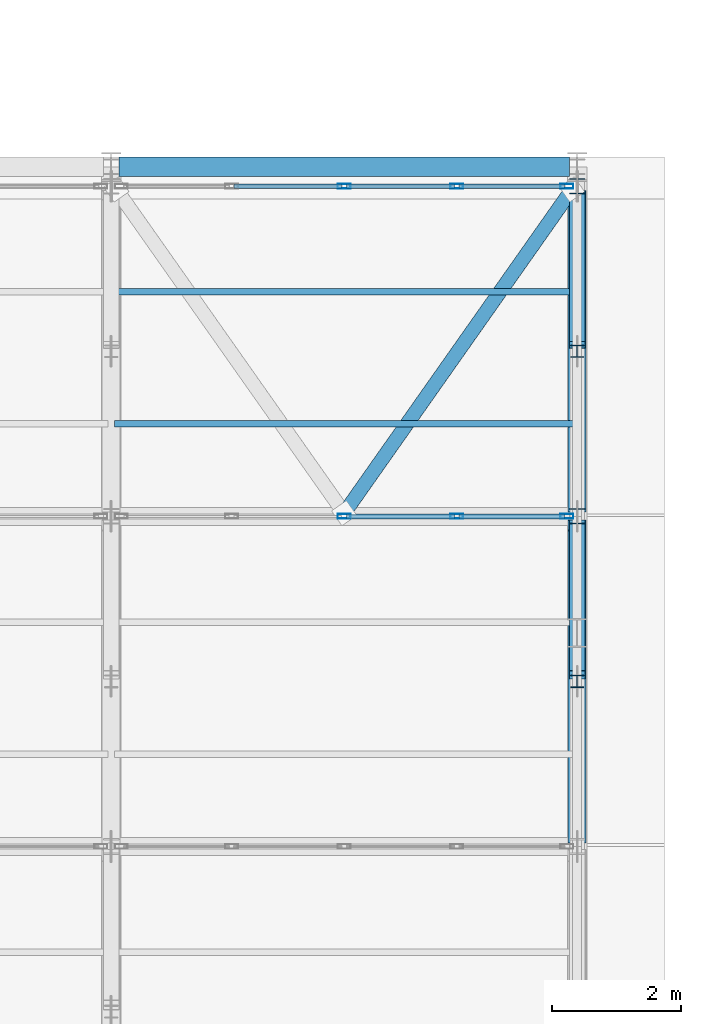
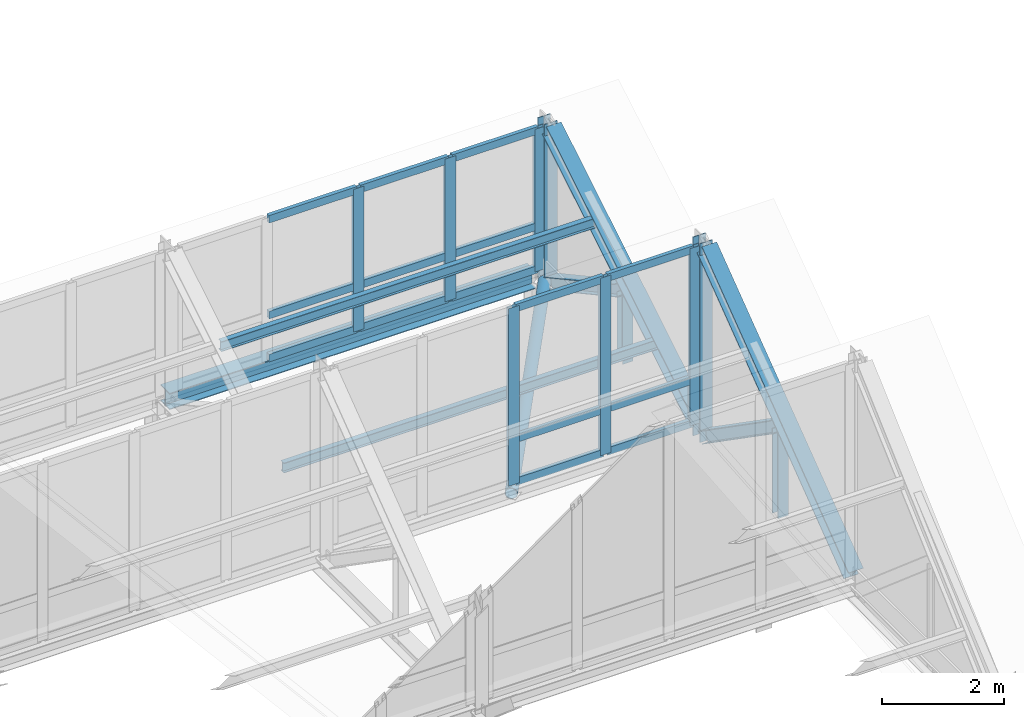
# One storey, part 71 of 157: 32 members, 1 beam, 2 elements without a shape of their own.
"""IFC4 building model written with IfcOpenShell, lengths in metres."""

from ifc_helpers import new_model, si_unit, direction, frame, origin, origin_2d, place, context, subcontext, project, spatial, hollow_rectangle, hollow_circle, i_section, extrude, material, material_profile, profile_set, type_object, element, aggregate, save


model = new_model("IFC4")

# Units and contexts
model_context = context("Model", 3, precision=1e-05, world=origin(), true_north=direction((0.0, 1.0)))
body_context = subcontext(model_context, "Body", "Model", "MODEL_VIEW")
ifc_project = project(units=[si_unit("LENGTHUNIT", "METRE"), si_unit("AREAUNIT", "SQUARE_METRE"), si_unit("VOLUMEUNIT", "CUBIC_METRE"), si_unit("PLANEANGLEUNIT", "RADIAN"), si_unit("MASSUNIT", "GRAM", prefix="KILO")], contexts=[model_context])

# Site, building, storey
site_placement = place(None, origin())
site = spatial("IfcSite", under=ifc_project, at=site_placement, CompositionType="ELEMENT")
building_placement = place(site_placement, origin())
building = spatial("IfcBuilding", under=site, at=building_placement, Name="Suanplinth Sawtooth Commons", CompositionType="ELEMENT")
storey_placement = place(building_placement, frame((0.0, 0.0, 9.0)))
storey = spatial("IfcBuildingStorey", under=building, at=storey_placement, Name="L02", CompositionType="ELEMENT", Elevation=9.0)

# Beam
ifc_material_1 = material(Name="Steel S355JR", Category="steel")
ifc_material_profile_1 = material_profile(ifc_material_1, i_section(OverallWidth=0.300048828125, OverallDepth=0.330078125, WebThickness=0.009521484375, FlangeThickness=0.0166015625, at=origin_2d()), Name="HEA 340")
ifc_profile_set_1 = profile_set([ifc_material_profile_1], Name="Steel S355JR")
beam_type = type_object("IfcBeamType", Name="B-15", PredefinedType="USERDEFINED", material=ifc_profile_set_1)
beam_placement = place(storey_placement, frame((108.1201171875, 86.39990234375, 2.655029296875), z_axis=(1.0, 0.0, 0.0), x_axis=(0.0, 1.0, 0.0)))
element("IfcBeam", 1, at=beam_placement, inside=storey, type_object=beam_type, Name="Sawtooth North Eave Girder B7", ObjectType="GIRDER", PredefinedType="USERDEFINED", context=body_context, shape_type="SweptSolid", body=[
    extrude(i_section(OverallWidth=0.300048828125, OverallDepth=0.330078125, WebThickness=0.009521484375, FlangeThickness=0.0166015625, at=origin_2d()), origin(), (0.0, 0.0, 1.0), 6.9599609375),
])

# Members
ifc_material_profile_2 = material_profile(ifc_material_1, i_section(OverallWidth=0.280029296875, OverallDepth=0.280029296875, WebThickness=0.010498046875, FlangeThickness=0.01806640625, at=origin_2d()), Name="HEB 280")
ifc_profile_set_2 = profile_set([ifc_material_profile_2], Name="Steel S355JR")
member_type_1 = type_object("IfcMemberType", Name="M-02", PredefinedType="CHORD", material=ifc_profile_set_2)
member_1_placement = place(storey_placement, frame((115.199951171875, 76.0400390625, 2.919921875), z_axis=(0.0, 0.799596436712, 0.600537707723), x_axis=(-1.0, 0.0, 0.0)))
element("IfcMember", 2, at=member_1_placement, inside=storey, type_object=member_type_1, Name="Sawtooth Truss T8 Top Chord 6", PredefinedType="CHORD", context=body_context, shape_type="SweptSolid", body=[
    extrude(i_section(OverallWidth=0.280029296875, OverallDepth=0.280029296875, WebThickness=0.010498046875, FlangeThickness=0.01806640625, at=origin_2d()), origin(), (0.0, 0.0, 1.0), 6.028076171875),
])
member_2_placement = place(storey_placement, frame((115.199951171875, 81.139892578125, 2.919921875), z_axis=(0.0, 0.855283356021, 0.51816057445), x_axis=(-1.0, 0.0, 0.0)))
element("IfcMember", 3, at=member_2_placement, inside=storey, type_object=member_type_1, Name="Sawtooth Truss T8 Top Chord 7", PredefinedType="CHORD", context=body_context, shape_type="SweptSolid", body=[
    extrude(i_section(OverallWidth=0.280029296875, OverallDepth=0.280029296875, WebThickness=0.010498046875, FlangeThickness=0.01806640625, at=origin_2d()), origin(), (0.0, 0.0, 1.0), 5.6357421875),
])
ifc_material_profile_3 = material_profile(ifc_material_1, i_section(OverallWidth=0.239990234375, OverallDepth=0.22998046875, WebThickness=0.007568359375, FlangeThickness=0.011962890625, at=origin_2d()), Name="HEA 240")
ifc_profile_set_3 = profile_set([ifc_material_profile_3], Name="Steel S355JR")
member_type_2 = type_object("IfcMemberType", Name="M-03", PredefinedType="BRACE", material=ifc_profile_set_3)
member_3_placement = place(storey_placement, frame((115.199951171875, 78.550048828125, 4.3701171875), z_axis=(0.0, 0.821010399862, -0.570913236245), x_axis=(-1.0, 0.0, 0.0)))
element("IfcMember", 4, at=member_3_placement, inside=storey, type_object=member_type_2, Name="Sawtooth Truss T8 Web Diagonal 6", PredefinedType="BRACE", context=body_context, shape_type="SweptSolid", body=[
    extrude(i_section(OverallWidth=0.239990234375, OverallDepth=0.22998046875, WebThickness=0.007568359375, FlangeThickness=0.011962890625, at=origin_2d()), origin(), (0.0, 0.0, 1.0), 2.837646484375),
])
member_4_placement = place(storey_placement, frame((115.199951171875, 83.64990234375, 4.02001953125), z_axis=(0.0, 0.878043199154, -0.478581383277), x_axis=(-1.0, 0.0, 0.0)))
element("IfcMember", 5, at=member_4_placement, inside=storey, type_object=member_type_2, Name="Sawtooth Truss T8 Web Diagonal 7", PredefinedType="BRACE", context=body_context, shape_type="SweptSolid", body=[
    extrude(i_section(OverallWidth=0.239990234375, OverallDepth=0.22998046875, WebThickness=0.007568359375, FlangeThickness=0.011962890625, at=origin_2d()), origin(), (0.0, 0.0, 1.0), 2.65380859375),
])
ifc_material_profile_4 = material_profile(ifc_material_1, i_section(OverallWidth=0.199951171875, OverallDepth=0.18994140625, WebThickness=0.006591796875, FlangeThickness=0.010009765625, at=origin_2d()), Name="HEA 200")
ifc_profile_set_4 = profile_set([ifc_material_profile_4], Name="Steel S355JR")
member_type_3 = type_object("IfcMemberType", Name="M-04", PredefinedType="BRACE", material=ifc_profile_set_4)
member_5_placement = place(storey_placement, frame((115.199951171875, 78.449951171875, 2.64990234375), z_axis=(0.0, 0.0, 1.0), x_axis=(1.0, 0.0, 0.0)))
element("IfcMember", 6, at=member_5_placement, inside=storey, type_object=member_type_3, Name="Sawtooth Truss T8 Mid Web Post 6", PredefinedType="BRACE", context=body_context, shape_type="SweptSolid", body=[
    extrude(i_section(OverallWidth=0.199951171875, OverallDepth=0.18994140625, WebThickness=0.006591796875, FlangeThickness=0.010009765625, at=origin_2d()), origin(), (0.0, 0.0, 1.0), 1.7001953125),
])
member_6_placement = place(storey_placement, frame((115.199951171875, 83.550048828125, 2.64990234375), z_axis=(0.0, 0.0, 1.0), x_axis=(1.0, 0.0, 0.0)))
element("IfcMember", 7, at=member_6_placement, inside=storey, type_object=member_type_3, Name="Sawtooth Truss T8 Mid Web Post 7", PredefinedType="BRACE", context=body_context, shape_type="SweptSolid", body=[
    extrude(i_section(OverallWidth=0.199951171875, OverallDepth=0.18994140625, WebThickness=0.006591796875, FlangeThickness=0.010009765625, at=origin_2d()), origin(), (0.0, 0.0, 1.0), 1.35009765625),
])
ifc_material_profile_5 = material_profile(ifc_material_1, i_section(OverallWidth=0.239990234375, OverallDepth=0.239990234375, WebThickness=0.010009765625, FlangeThickness=0.01708984375, at=origin_2d()), Name="HEB 240")
ifc_profile_set_5 = profile_set([ifc_material_profile_5], Name="Steel S355JR")
member_type_4 = type_object("IfcMemberType", Name="M-05", PredefinedType="POST", material=ifc_profile_set_5)
member_7_placement = place(storey_placement, frame((115.199951171875, 81.0, 2.64990234375), z_axis=(0.0, 0.0, 1.0), x_axis=(1.0, 0.0, 0.0)))
element("IfcMember", 8, at=member_7_placement, inside=storey, type_object=member_type_4, Name="Sawtooth Truss T8 Clerestory Post 6", PredefinedType="POST", context=body_context, shape_type="SweptSolid", body=[
    extrude(i_section(OverallWidth=0.239990234375, OverallDepth=0.239990234375, WebThickness=0.010009765625, FlangeThickness=0.01708984375, at=origin_2d()), origin(), (0.0, 0.0, 1.0), 3.989990234375),
])
member_8_placement = place(storey_placement, frame((115.199951171875, 86.10009765625, 2.64990234375), z_axis=(0.0, 0.0, 1.0), x_axis=(1.0, 0.0, 0.0)))
element("IfcMember", 9, at=member_8_placement, inside=storey, type_object=member_type_4, Name="Sawtooth Truss T8 Clerestory Post 7", PredefinedType="POST", context=body_context, shape_type="SweptSolid", body=[
    extrude(i_section(OverallWidth=0.239990234375, OverallDepth=0.239990234375, WebThickness=0.010009765625, FlangeThickness=0.01708984375, at=origin_2d()), origin(), (0.0, 0.0, 1.0), 3.2900390625),
])
ifc_material_2 = material(Name="Steel SS400", Category="steel")
ifc_material_profile_6 = material_profile(ifc_material_2, i_section(OverallWidth=0.10009765625, OverallDepth=0.199951171875, WebThickness=0.005615234375, FlangeThickness=0.008544921875, at=origin_2d()), Name="IPE 200")
ifc_profile_set_6 = profile_set([ifc_material_profile_6], Name="Steel SS400")
member_type_5 = type_object("IfcMemberType", Name="M-06", PredefinedType="PURLIN", material=ifc_profile_set_6)
for number, where, z_axis, x_axis, name in (
    (10, (108.050048828125, 82.427978515625, 3.691162109375), (1.0, 0.0, 0.0), (0.0, 1.0, 0.0), "Sawtooth Roof Purlin T7-B7-P1"),
    (11, (108.050048828125, 84.468017578125, 4.89111328125), (1.0, 0.0, 0.0), (0.0, 1.0, 0.0), "Sawtooth Roof Purlin T7-B7-P2"),
):
    element("IfcMember", number, at=place(storey_placement, frame(where, z_axis=z_axis, x_axis=x_axis)), inside=storey, type_object=member_type_5, Name=name, PredefinedType="PURLIN", context=body_context, shape_type="SweptSolid", body=[
        extrude(i_section(OverallWidth=0.10009765625, OverallDepth=0.199951171875, WebThickness=0.005615234375, FlangeThickness=0.008544921875, at=origin_2d()), origin(), (0.0, 0.0, 1.0), 7.099853515625),
    ])
ifc_material_profile_7 = material_profile(ifc_material_1, hollow_circle(Radius=0.109619140625, WallThickness=0.010009765625, at=origin_2d()), Name="CHS 219.1x10")
ifc_profile_set_7 = profile_set([ifc_material_profile_7], Name="Steel S355JR")
member_type_6 = type_object("IfcMemberType", Name="M-08", PredefinedType="BRACE", material=ifc_profile_set_7)
member_9_placement = place(storey_placement, frame((115.1201171875, 86.050048828125, 2.75), z_axis=(-0.575657568644, -0.817690872924, 0.0), x_axis=(0.817690872924, -0.575657568644, 0.0)))
element("IfcMember", 12, at=member_9_placement, inside=storey, type_object=member_type_6, Name="Sawtooth Roof Plan Brace B7-4", PredefinedType="BRACE", context=body_context, shape_type="SweptSolid", body=[
    extrude(hollow_circle(Radius=0.109619140625, WallThickness=0.010009765625, at=origin_2d()), origin(), (0.0, 0.0, 1.0), 6.11474609375),
])

# Curtain wall, members
ifc_material_3 = material(Name="Anodized aluminium and low-E glazing", Category="aluminium")
curtain_wall_type = type_object("IfcCurtainWallType", Name="CW-03", PredefinedType="USERDEFINED", material=ifc_material_3)
curtain_wall_1_placement = place(storey_placement, origin())
curtain_wall_1 = element("IfcCurtainWall", 13, at=curtain_wall_1_placement, inside=storey, type_object=curtain_wall_type, Name="Curtain Wall CW-SAW-T6-B7", ObjectType="CURTAIN WALL", PredefinedType="USERDEFINED")
ifc_material_4 = material(Name="Anodized aluminium 6063-T6", Category="aluminium")
ifc_material_profile_8 = material_profile(ifc_material_4, hollow_rectangle(XDim=0.074951171875, YDim=0.199951171875, WallThickness=0.0048828125, at=origin_2d()), Name="ALU-MUL 75x200")
ifc_profile_set_8 = profile_set([ifc_material_profile_8], Name="Anodized aluminium 6063-T6")
member_type_7 = type_object("IfcMemberType", Name="M-14", PredefinedType="MULLION", material=ifc_profile_set_8)
member_10_placement = place(storey_placement, frame((111.60009765625, 81.0, 2.97998046875), z_axis=(0.0, 0.0, 1.0), x_axis=(0.0, 1.0, 0.0)))
member_10 = element("IfcMember", 14, at=member_10_placement, type_object=member_type_7, Name="CW-03 mullion 3", PredefinedType="MULLION", context=body_context, shape_type="SweptSolid", body=[
    extrude(hollow_rectangle(XDim=0.074951171875, YDim=0.199951171875, WallThickness=0.0048828125, at=origin_2d()), origin(), (0.0, 0.0, 1.0), 3.56005859375),
])
member_11_placement = place(storey_placement, frame((113.340087890625, 81.0, 2.97998046875), z_axis=(0.0, 0.0, 1.0), x_axis=(0.0, 1.0, 0.0)))
member_11 = element("IfcMember", 15, at=member_11_placement, type_object=member_type_7, Name="CW-03 mullion 4", PredefinedType="MULLION", context=body_context, shape_type="SweptSolid", body=[
    extrude(hollow_rectangle(XDim=0.074951171875, YDim=0.199951171875, WallThickness=0.0048828125, at=origin_2d()), origin(), (0.0, 0.0, 1.0), 3.56005859375),
])
member_12_placement = place(storey_placement, frame((115.04248046875, 81.0, 2.97998046875), z_axis=(0.0, 0.0, 1.0), x_axis=(0.0, 1.0, 0.0)))
member_12 = element("IfcMember", 16, at=member_12_placement, type_object=member_type_7, Name="CW-03 mullion 5", PredefinedType="MULLION", context=body_context, shape_type="SweptSolid", body=[
    extrude(hollow_rectangle(XDim=0.074951171875, YDim=0.199951171875, WallThickness=0.0048828125, at=origin_2d()), origin(), (0.0, 0.0, 1.0), 3.56005859375),
])

curtain_wall_2_placement = place(storey_placement, origin())
curtain_wall_2 = element("IfcCurtainWall", 17, at=curtain_wall_2_placement, inside=storey, type_object=curtain_wall_type, Name="Curtain Wall CW-SAW-T7-B7", ObjectType="CURTAIN WALL", PredefinedType="USERDEFINED")
member_13_placement = place(storey_placement, frame((111.60009765625, 86.10009765625, 2.97998046875), z_axis=(0.0, 0.0, 1.0), x_axis=(0.0, 1.0, 0.0)))
member_13 = element("IfcMember", 18, at=member_13_placement, type_object=member_type_7, Name="CW-03 mullion 3", PredefinedType="MULLION", context=body_context, shape_type="SweptSolid", body=[
    extrude(hollow_rectangle(XDim=0.074951171875, YDim=0.199951171875, WallThickness=0.0048828125, at=origin_2d()), origin(), (0.0, 0.0, 1.0), 2.860107421875),
])
member_14_placement = place(storey_placement, frame((113.340087890625, 86.10009765625, 2.97998046875), z_axis=(0.0, 0.0, 1.0), x_axis=(0.0, 1.0, 0.0)))
member_14 = element("IfcMember", 19, at=member_14_placement, type_object=member_type_7, Name="CW-03 mullion 4", PredefinedType="MULLION", context=body_context, shape_type="SweptSolid", body=[
    extrude(hollow_rectangle(XDim=0.074951171875, YDim=0.199951171875, WallThickness=0.0048828125, at=origin_2d()), origin(), (0.0, 0.0, 1.0), 2.860107421875),
])
member_15_placement = place(storey_placement, frame((115.04248046875, 86.10009765625, 2.97998046875), z_axis=(0.0, 0.0, 1.0), x_axis=(0.0, 1.0, 0.0)))
member_15 = element("IfcMember", 20, at=member_15_placement, type_object=member_type_7, Name="CW-03 mullion 5", PredefinedType="MULLION", context=body_context, shape_type="SweptSolid", body=[
    extrude(hollow_rectangle(XDim=0.074951171875, YDim=0.199951171875, WallThickness=0.0048828125, at=origin_2d()), origin(), (0.0, 0.0, 1.0), 2.860107421875),
])

# Member
ifc_material_profile_9 = material_profile(ifc_material_4, hollow_rectangle(XDim=0.074951171875, YDim=0.14990234375, WallThickness=0.00439453125, at=origin_2d()), Name="ALU-TRN 75x150")
ifc_profile_set_9 = profile_set([ifc_material_profile_9], Name="Anodized aluminium 6063-T6")
member_type_8 = type_object("IfcMemberType", Name="M-16", PredefinedType="USERDEFINED", material=ifc_profile_set_9)
member_16_placement = place(storey_placement, frame((111.637451171875, 81.0, 3.017578125), z_axis=(1.0, 0.0, 0.0), x_axis=(0.0, 1.0, 0.0)))
member_16 = element("IfcMember", 21, at=member_16_placement, type_object=member_type_8, Name="CW-03 transom 3.1", ObjectType="TRANSOM", PredefinedType="USERDEFINED", context=body_context, shape_type="SweptSolid", body=[
    extrude(hollow_rectangle(XDim=0.074951171875, YDim=0.14990234375, WallThickness=0.00439453125, at=origin_2d()), origin(), (0.0, 0.0, 1.0), 1.6650390625),
])

member_17_placement = place(storey_placement, frame((111.637451171875, 81.0, 3.8798828125), z_axis=(1.0, 0.0, 0.0), x_axis=(0.0, 1.0, 0.0)))
member_17 = element("IfcMember", 22, at=member_17_placement, type_object=member_type_8, Name="CW-03 transom 3.2", ObjectType="TRANSOM", PredefinedType="USERDEFINED", context=body_context, shape_type="SweptSolid", body=[
    extrude(hollow_rectangle(XDim=0.074951171875, YDim=0.14990234375, WallThickness=0.00439453125, at=origin_2d()), origin(), (0.0, 0.0, 1.0), 1.6650390625),
])

member_18_placement = place(storey_placement, frame((111.637451171875, 81.0, 6.50244140625), z_axis=(1.0, 0.0, 0.0), x_axis=(0.0, 1.0, 0.0)))
member_18 = element("IfcMember", 23, at=member_18_placement, type_object=member_type_8, Name="CW-03 transom 3.3", ObjectType="TRANSOM", PredefinedType="USERDEFINED", context=body_context, shape_type="SweptSolid", body=[
    extrude(hollow_rectangle(XDim=0.074951171875, YDim=0.14990234375, WallThickness=0.00439453125, at=origin_2d()), origin(), (0.0, 0.0, 1.0), 1.6650390625),
])

member_19_placement = place(storey_placement, frame((113.37744140625, 81.0, 3.017578125), z_axis=(1.0, 0.0, 0.0), x_axis=(0.0, 1.0, 0.0)))
member_19 = element("IfcMember", 24, at=member_19_placement, type_object=member_type_8, Name="CW-03 transom 4.1", ObjectType="TRANSOM", PredefinedType="USERDEFINED", context=body_context, shape_type="SweptSolid", body=[
    extrude(hollow_rectangle(XDim=0.074951171875, YDim=0.14990234375, WallThickness=0.00439453125, at=origin_2d()), origin(), (0.0, 0.0, 1.0), 1.62744140625),
])

member_20_placement = place(storey_placement, frame((113.37744140625, 81.0, 3.8798828125), z_axis=(1.0, 0.0, 0.0), x_axis=(0.0, 1.0, 0.0)))
member_20 = element("IfcMember", 25, at=member_20_placement, type_object=member_type_8, Name="CW-03 transom 4.2", ObjectType="TRANSOM", PredefinedType="USERDEFINED", context=body_context, shape_type="SweptSolid", body=[
    extrude(hollow_rectangle(XDim=0.074951171875, YDim=0.14990234375, WallThickness=0.00439453125, at=origin_2d()), origin(), (0.0, 0.0, 1.0), 1.62744140625),
])

member_21_placement = place(storey_placement, frame((113.37744140625, 81.0, 6.50244140625), z_axis=(1.0, 0.0, 0.0), x_axis=(0.0, 1.0, 0.0)))
member_21 = element("IfcMember", 26, at=member_21_placement, type_object=member_type_8, Name="CW-03 transom 4.3", ObjectType="TRANSOM", PredefinedType="USERDEFINED", context=body_context, shape_type="SweptSolid", body=[
    extrude(hollow_rectangle(XDim=0.074951171875, YDim=0.14990234375, WallThickness=0.00439453125, at=origin_2d()), origin(), (0.0, 0.0, 1.0), 1.62744140625),
])

aggregate(curtain_wall_1, [member_10, member_11, member_12, member_16, member_17, member_18, member_19, member_20, member_21])

member_22_placement = place(storey_placement, frame((109.8974609375, 86.10009765625, 3.017578125), z_axis=(1.0, 0.0, 0.0), x_axis=(0.0, 1.0, 0.0)))
member_22 = element("IfcMember", 27, at=member_22_placement, type_object=member_type_8, Name="CW-03 transom 2.1", ObjectType="TRANSOM", PredefinedType="USERDEFINED", context=body_context, shape_type="SweptSolid", body=[
    extrude(hollow_rectangle(XDim=0.074951171875, YDim=0.14990234375, WallThickness=0.00439453125, at=origin_2d()), origin(), (0.0, 0.0, 1.0), 1.6650390625),
])

member_23_placement = place(storey_placement, frame((109.8974609375, 86.10009765625, 3.8798828125), z_axis=(1.0, 0.0, 0.0), x_axis=(0.0, 1.0, 0.0)))
member_23 = element("IfcMember", 28, at=member_23_placement, type_object=member_type_8, Name="CW-03 transom 2.2", ObjectType="TRANSOM", PredefinedType="USERDEFINED", context=body_context, shape_type="SweptSolid", body=[
    extrude(hollow_rectangle(XDim=0.074951171875, YDim=0.14990234375, WallThickness=0.00439453125, at=origin_2d()), origin(), (0.0, 0.0, 1.0), 1.6650390625),
])

member_24_placement = place(storey_placement, frame((109.8974609375, 86.10009765625, 5.802490234375), z_axis=(1.0, 0.0, 0.0), x_axis=(0.0, 1.0, 0.0)))
member_24 = element("IfcMember", 29, at=member_24_placement, type_object=member_type_8, Name="CW-03 transom 2.3", ObjectType="TRANSOM", PredefinedType="USERDEFINED", context=body_context, shape_type="SweptSolid", body=[
    extrude(hollow_rectangle(XDim=0.074951171875, YDim=0.14990234375, WallThickness=0.00439453125, at=origin_2d()), origin(), (0.0, 0.0, 1.0), 1.6650390625),
])

member_25_placement = place(storey_placement, frame((111.637451171875, 86.10009765625, 3.017578125), z_axis=(1.0, 0.0, 0.0), x_axis=(0.0, 1.0, 0.0)))
member_25 = element("IfcMember", 30, at=member_25_placement, type_object=member_type_8, Name="CW-03 transom 3.1", ObjectType="TRANSOM", PredefinedType="USERDEFINED", context=body_context, shape_type="SweptSolid", body=[
    extrude(hollow_rectangle(XDim=0.074951171875, YDim=0.14990234375, WallThickness=0.00439453125, at=origin_2d()), origin(), (0.0, 0.0, 1.0), 1.6650390625),
])

member_26_placement = place(storey_placement, frame((111.637451171875, 86.10009765625, 3.8798828125), z_axis=(1.0, 0.0, 0.0), x_axis=(0.0, 1.0, 0.0)))
member_26 = element("IfcMember", 31, at=member_26_placement, type_object=member_type_8, Name="CW-03 transom 3.2", ObjectType="TRANSOM", PredefinedType="USERDEFINED", context=body_context, shape_type="SweptSolid", body=[
    extrude(hollow_rectangle(XDim=0.074951171875, YDim=0.14990234375, WallThickness=0.00439453125, at=origin_2d()), origin(), (0.0, 0.0, 1.0), 1.6650390625),
])

member_27_placement = place(storey_placement, frame((111.637451171875, 86.10009765625, 5.802490234375), z_axis=(1.0, 0.0, 0.0), x_axis=(0.0, 1.0, 0.0)))
member_27 = element("IfcMember", 32, at=member_27_placement, type_object=member_type_8, Name="CW-03 transom 3.3", ObjectType="TRANSOM", PredefinedType="USERDEFINED", context=body_context, shape_type="SweptSolid", body=[
    extrude(hollow_rectangle(XDim=0.074951171875, YDim=0.14990234375, WallThickness=0.00439453125, at=origin_2d()), origin(), (0.0, 0.0, 1.0), 1.6650390625),
])

member_28_placement = place(storey_placement, frame((113.37744140625, 86.10009765625, 3.017578125), z_axis=(1.0, 0.0, 0.0), x_axis=(0.0, 1.0, 0.0)))
member_28 = element("IfcMember", 33, at=member_28_placement, type_object=member_type_8, Name="CW-03 transom 4.1", ObjectType="TRANSOM", PredefinedType="USERDEFINED", context=body_context, shape_type="SweptSolid", body=[
    extrude(hollow_rectangle(XDim=0.074951171875, YDim=0.14990234375, WallThickness=0.00439453125, at=origin_2d()), origin(), (0.0, 0.0, 1.0), 1.62744140625),
])

member_29_placement = place(storey_placement, frame((113.37744140625, 86.10009765625, 3.8798828125), z_axis=(1.0, 0.0, 0.0), x_axis=(0.0, 1.0, 0.0)))
member_29 = element("IfcMember", 34, at=member_29_placement, type_object=member_type_8, Name="CW-03 transom 4.2", ObjectType="TRANSOM", PredefinedType="USERDEFINED", context=body_context, shape_type="SweptSolid", body=[
    extrude(hollow_rectangle(XDim=0.074951171875, YDim=0.14990234375, WallThickness=0.00439453125, at=origin_2d()), origin(), (0.0, 0.0, 1.0), 1.62744140625),
])

member_30_placement = place(storey_placement, frame((113.37744140625, 86.10009765625, 5.802490234375), z_axis=(1.0, 0.0, 0.0), x_axis=(0.0, 1.0, 0.0)))
member_30 = element("IfcMember", 35, at=member_30_placement, type_object=member_type_8, Name="CW-03 transom 4.3", ObjectType="TRANSOM", PredefinedType="USERDEFINED", context=body_context, shape_type="SweptSolid", body=[
    extrude(hollow_rectangle(XDim=0.074951171875, YDim=0.14990234375, WallThickness=0.00439453125, at=origin_2d()), origin(), (0.0, 0.0, 1.0), 1.62744140625),
])

aggregate(curtain_wall_2, [member_13, member_14, member_15, member_22, member_23, member_24, member_25, member_26, member_27, member_28, member_29, member_30])

save(model, "model.ifc")
